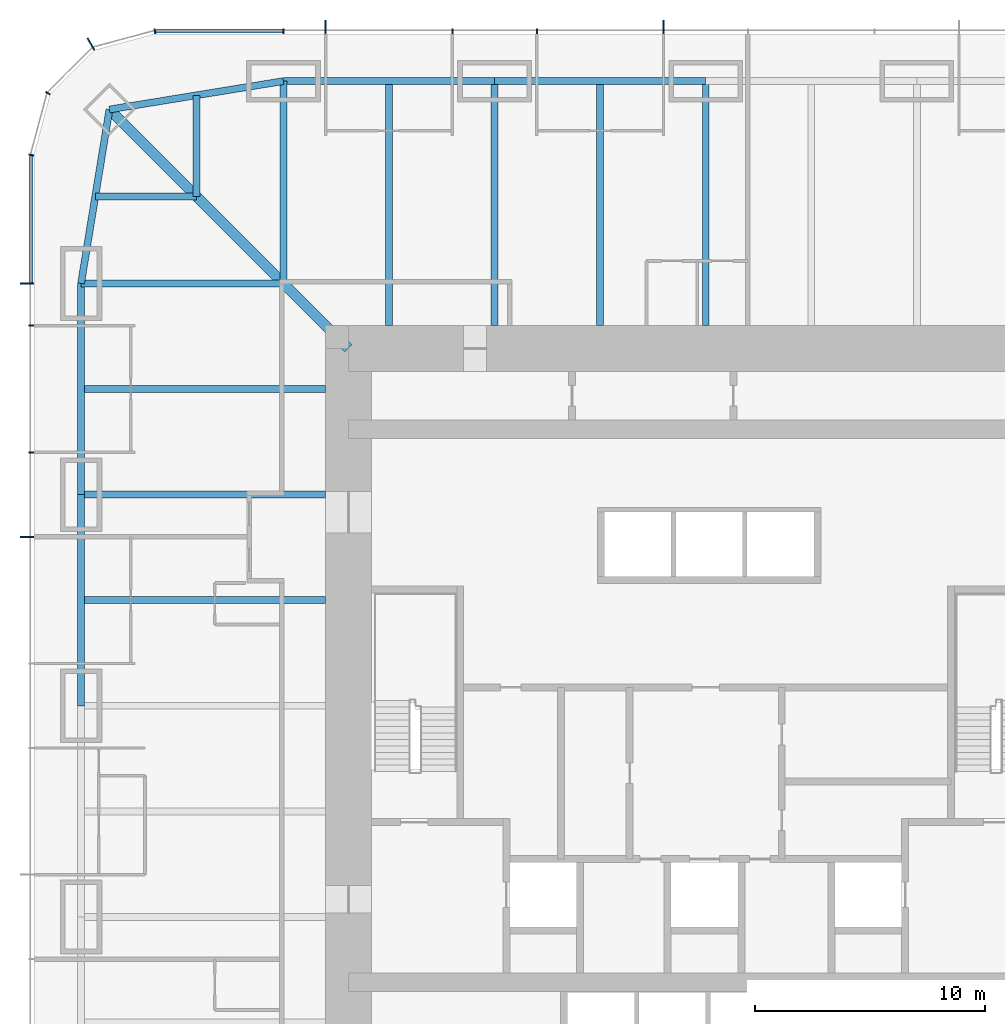
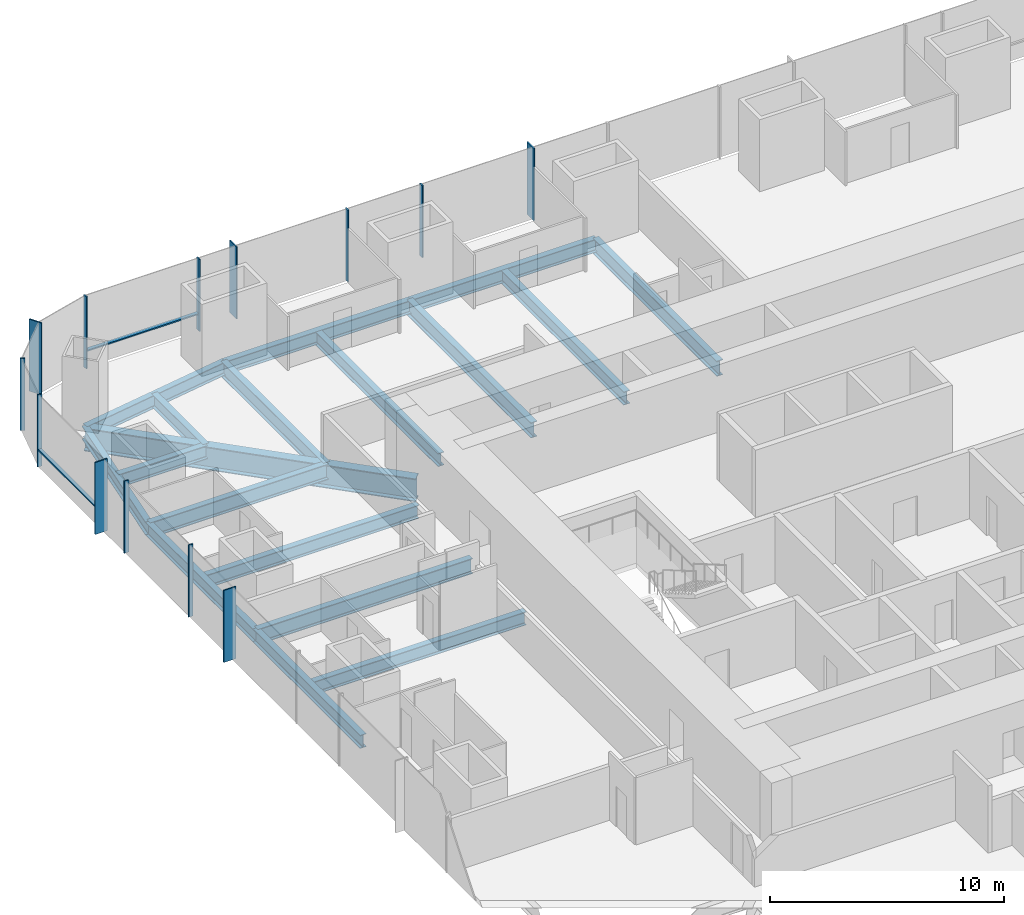
# One storey, part 5 of 13: 18 beams, 15 members, 3 elements without a shape of their own.
"""IFC4 building model written with IfcOpenShell, lengths in metres."""

import ifcopenshell
import ifcopenshell.guid

model = None  # the IFC model being written
_history = None  # IfcOwnerHistory: only IFC2X3 demands one
_inside = {}  # id of a spatial element -> (the spatial element, [elements in it])
_under = {}  # id of a project, library or spatial element -> (it, [spatial elements below it])
_declared = {}  # id of a project -> (the project, [libraries it declares])
_typed = {}  # id of a type object -> (the type object, [elements of that type])
_made_of = {}  # id of a material, layer set ... -> (it, [elements and type objects made of it])


def new_model(schema):
    """Start an empty IFC model of exactly this schema.

    Asked for "IFC4X3", IfcOpenShell would pick the latest addendum, in which some entities
    have other attributes; the version numbers below select the first issue.
    IFC2X3 requires an IfcOwnerHistory on every rooted entity: one is made here for all.
    """
    global model, _history
    if schema == "IFC4X3":
        model = ifcopenshell.file(schema_version=(4, 3, 0, 0))
    else:
        model = ifcopenshell.file(schema=schema)
    _inside.clear()
    _under.clear()
    _declared.clear()
    _typed.clear()
    _made_of.clear()
    _history = None
    if model.schema == "IFC2X3":
        org = make("IfcOrganization", Name="unknown")
        user = make(
            "IfcPersonAndOrganization",
            ThePerson=make("IfcPerson", FamilyName="unknown"),
            TheOrganization=org,
        )
        app = make(
            "IfcApplication",
            ApplicationDeveloper=org,
            Version="unknown",
            ApplicationFullName="unknown",
            ApplicationIdentifier="unknown",
        )
        _history = make(
            "IfcOwnerHistory",
            OwningUser=user,
            OwningApplication=app,
            ChangeAction="ADDED",
            CreationDate=0,
        )
    return model


def make(cls, **values):
    """One entity of the class cls with the attributes given. An attribute that is None is left unset."""
    return model.create_entity(
        cls, **{name: value for name, value in values.items() if value is not None}
    )


def rooted(cls, **values):
    """An entity with a GlobalId (a new one), such as an element, a storey or a relation."""
    return make(cls, GlobalId=ifcopenshell.guid.new(), OwnerHistory=_history, **values)


def si_unit(unit_type, name, prefix=None):
    """IfcSIUnit, for example si_unit("LENGTHUNIT", "METRE", prefix="MILLI")."""
    return make("IfcSIUnit", UnitType=unit_type, Prefix=prefix, Name=name)


def assignment(units):
    """IfcUnitAssignment: the units of a project."""
    return None if units is None else make("IfcUnitAssignment", Units=units)


def point(xyz):
    """IfcCartesianPoint."""
    return None if xyz is None else make("IfcCartesianPoint", Coordinates=xyz)


def direction(xyz):
    """IfcDirection."""
    return None if xyz is None else make("IfcDirection", DirectionRatios=xyz)


def frame(location, z_axis=None, x_axis=None):
    """IfcAxis2Placement3D, a coordinate frame: its origin and axes. An axis left out is left unset."""
    return make(
        "IfcAxis2Placement3D",
        Location=point(location),
        Axis=direction(z_axis),
        RefDirection=direction(x_axis),
    )


def frame_2d(location, x_axis=None):
    """IfcAxis2Placement2D, a coordinate frame in the plane: its origin and x axis."""
    return make(
        "IfcAxis2Placement2D", Location=point(location), RefDirection=direction(x_axis)
    )


def origin():
    """The frame at (0, 0, 0) with its axes left unset."""
    return frame((0.0, 0.0, 0.0))


def origin_2d():
    """The frame at (0, 0) in the plane with its x axis left unset."""
    return frame_2d((0.0, 0.0))


def place(relative_to, where):
    """IfcLocalPlacement: puts the frame where relative to a parent placement (None: the world)."""
    return make(
        "IfcLocalPlacement", PlacementRelTo=relative_to, RelativePlacement=where
    )


def context(
    kind, dimensions, precision=None, world=None, true_north=None, identifier=None
):
    """IfcGeometricRepresentationContext, for example the 3D "Model" context."""
    return make(
        "IfcGeometricRepresentationContext",
        ContextIdentifier=identifier,
        ContextType=kind,
        CoordinateSpaceDimension=dimensions,
        Precision=precision,
        WorldCoordinateSystem=world,
        TrueNorth=true_north,
    )


def subcontext(parent, identifier, kind, view, scale=None):
    """IfcGeometricRepresentationSubContext, for example "Body" below "Model"."""
    return make(
        "IfcGeometricRepresentationSubContext",
        ContextIdentifier=identifier,
        ContextType=kind,
        ParentContext=parent,
        TargetScale=scale,
        TargetView=view,
    )


def project(units=None, contexts=None):
    """IfcProject with its units and contexts."""
    return rooted(
        "IfcProject",
        Name="project",
        RepresentationContexts=contexts,
        UnitsInContext=assignment(units),
    )


def spatial(cls, under=None, at=None, **own):
    """A site, building, storey or space (cls), placed at a placement, below another one or the project."""
    s = rooted(cls, ObjectPlacement=at, **own)
    if under is not None:
        _under.setdefault(under.id(), (under, []))[1].append(s)
    return s


def profile(cls, at=None, kind="AREA", **sizes):
    """A parametric profile (cls). Its sizes go by their IFC names, for example OverallWidth=200.0."""
    return make(cls, ProfileType=kind, Position=at, **sizes)


def rectangle(**sizes):
    """IfcRectangleProfileDef."""
    return profile("IfcRectangleProfileDef", **sizes)


def i_section(**sizes):
    """IfcIShapeProfileDef."""
    return profile("IfcIShapeProfileDef", **sizes)


def extrude(swept, where, along, depth):
    """IfcExtrudedAreaSolid: the profile swept, set in the frame where, extruded along a direction by depth."""
    return make(
        "IfcExtrudedAreaSolid",
        SweptArea=swept,
        Position=where,
        ExtrudedDirection=direction(along),
        Depth=depth,
    )


def shape(context_of_items, identifier, shape_type, items):
    """IfcShapeRepresentation: the items that make up one representation, for example the "Body"."""
    return make(
        "IfcShapeRepresentation",
        ContextOfItems=context_of_items,
        RepresentationIdentifier=identifier,
        RepresentationType=shape_type,
        Items=items,
    )


def material(Name=None, Category=None):
    """IfcMaterial."""
    return make("IfcMaterial", Name=Name, Category=Category)


def material_profile(
    of_material, cross_section, Name=None, Category=None, Priority=None
):
    """IfcMaterialProfile: a cross section and its material."""
    return make(
        "IfcMaterialProfile",
        Name=Name,
        Material=of_material,
        Profile=cross_section,
        Priority=Priority,
        Category=Category,
    )


def profile_set(profiles, Name=None, composite=None):
    """IfcMaterialProfileSet."""
    return make(
        "IfcMaterialProfileSet",
        Name=Name,
        MaterialProfiles=profiles,
        CompositeProfile=composite,
    )


def made_of(thing, what):
    """Note that an element or type object is made of a material, layer set ...; save() writes the relation."""
    if what is not None:
        _made_of.setdefault(what.id(), (what, []))[1].append(thing)
    return thing


def type_object(cls, material=None, **own):
    """A type object (cls), such as IfcWallType, which elements share."""
    return made_of(rooted(cls, **own), material)


def element(
    cls,
    number,
    at=None,
    inside=None,
    cuts=None,
    type_object=None,
    material=None,
    context=None,
    identifier="Body",
    shape_type=None,
    held_by="IfcProductDefinitionShape",
    body=None,
    shapes=None,
    **own,
):
    """One element of the class cls, such as IfcWall. Its Tag is "e" and its number.

    at: its placement. inside: the storey or other place that contains it. cuts: it is an
    opening in that element (IfcRelVoidsElement). A single representation is given by context,
    identifier, shape_type and body (its items); several are given by shapes. held_by: the class
    of the entity that holds the representations. save() writes the other relations.
    """
    e = rooted(cls, Tag="e%d" % number, ObjectPlacement=at, **own)
    if body is not None:
        shapes = [shape(context, identifier, shape_type, body)]
    if shapes is not None:
        e.Representation = make(held_by, Representations=shapes)
    if inside is not None:
        _inside.setdefault(inside.id(), (inside, []))[1].append(e)
    if cuts is not None:
        rooted(
            "IfcRelVoidsElement", RelatingBuildingElement=cuts, RelatedOpeningElement=e
        )
    if type_object is not None:
        _typed.setdefault(type_object.id(), (type_object, []))[1].append(e)
    return made_of(e, material)


def aggregate(whole, parts):
    """IfcRelAggregates: a whole, such as a stair, and the parts it consists of."""
    return rooted("IfcRelAggregates", RelatingObject=whole, RelatedObjects=parts)


def save(model, path):
    """Write the relations noted so far, then the file.

    IfcRelAggregates (storeys below a building ...), IfcRelContainedInSpatialStructure (elements
    in a storey), IfcRelDefinesByType, IfcRelAssociatesMaterial and IfcRelDeclares: one each for
    every whole, place, type object, material and project.
    """
    for whole, parts in _under.values():
        aggregate(whole, parts)
    for where, things in _inside.values():
        rooted(
            "IfcRelContainedInSpatialStructure",
            RelatedElements=things,
            RelatingStructure=where,
        )
    for kind, things in _typed.values():
        rooted("IfcRelDefinesByType", RelatedObjects=things, RelatingType=kind)
    for what, things in _made_of.values():
        rooted("IfcRelAssociatesMaterial", RelatedObjects=things, RelatingMaterial=what)
    for by, libraries in _declared.values():
        rooted("IfcRelDeclares", RelatingContext=by, RelatedDefinitions=libraries)
    model.write(path)


model = new_model("IFC4")

# Units and contexts
model_context = context("Model", 3, precision=1e-05, world=origin(), true_north=direction((0.0, 1.0)))
body_context = subcontext(model_context, "Body", "Model", "MODEL_VIEW")
ifc_project = project(units=[si_unit("LENGTHUNIT", "METRE"), si_unit("AREAUNIT", "SQUARE_METRE"), si_unit("VOLUMEUNIT", "CUBIC_METRE"), si_unit("PLANEANGLEUNIT", "RADIAN"), si_unit("MASSUNIT", "GRAM", prefix="KILO")], contexts=[model_context])

# Site, building, storey
site_placement = place(None, origin())
site = spatial("IfcSite", under=ifc_project, at=site_placement, CompositionType="ELEMENT")
building_placement = place(site_placement, origin())
building = spatial("IfcBuilding", under=site, at=building_placement, Name="Khuree Lantern Residences", CompositionType="ELEMENT")
storey_placement = place(building_placement, frame((0.0, 0.0, 114.75)))
storey = spatial("IfcBuildingStorey", under=building, at=storey_placement, Name="L28", CompositionType="ELEMENT", Elevation=114.75)

# Beams
ifc_material_1 = material(Name="Steel S355", Category="steel")
ifc_material_profile_1 = material_profile(ifc_material_1, i_section(OverallWidth=0.300048828125, OverallDepth=0.68994140625, WebThickness=0.014404296875, FlangeThickness=0.027099609375, FilletRadius=0.027099609375, at=origin_2d()), Name="HE 700 A")
ifc_profile_set_1 = profile_set([ifc_material_profile_1], Name="Steel S355")
beam_type_1 = type_object("IfcBeamType", Name="B-21A SECONDARY BEAM HE 700 A", PredefinedType="BEAM", material=ifc_profile_set_1)
for number, where, z_axis, x_axis, name in (
    (1, (-13.739990234375, 27.10009765625, -0.594970703125), (0.0, -1.0, 0.0), (1.0, 0.0, 0.0), "Secondary beam N1"),
    (2, (-4.580078125, 27.10009765625, -0.594970703125), (0.0, -1.0, 0.0), (1.0, 0.0, 0.0), "Secondary beam N2"),
    (3, (-27.10009765625, 4.580078125, -0.594970703125), (1.0, 0.0, 0.0), (0.0, 1.0, 0.0), "Secondary beam W4"),
    (4, (-27.10009765625, 13.739990234375, -0.594970703125), (1.0, 0.0, 0.0), (0.0, 1.0, 0.0), "Secondary beam W5"),
):
    element("IfcBeam", number, at=place(storey_placement, frame(where, z_axis=z_axis, x_axis=x_axis)), inside=storey, type_object=beam_type_1, Name=name, PredefinedType="BEAM", context=body_context, shape_type="SweptSolid", body=[
        extrude(i_section(OverallWidth=0.300048828125, OverallDepth=0.68994140625, WebThickness=0.014404296875, FlangeThickness=0.027099609375, FilletRadius=0.027099609375, at=origin_2d()), origin(), (0.0, 0.0, 1.0), 10.60009765625),
    ])
for number, where, z_axis, x_axis, name in (
    (5, (-26.48486328125, 22.094970703125, -0.594970703125), (1.0, 0.0, 0.0), (0.0, 1.0, 0.0), "Secondary beam W6"),
    (6, (-22.094970703125, 26.48486328125, -0.594970703125), (0.0, -1.0, 0.0), (1.0, 0.0, 0.0), "Secondary beam N6"),
):
    element("IfcBeam", number, at=place(storey_placement, frame(where, z_axis=z_axis, x_axis=x_axis)), inside=storey, type_object=beam_type_1, Name=name, PredefinedType="BEAM", context=body_context, shape_type="SweptSolid", body=[
        extrude(i_section(OverallWidth=0.300048828125, OverallDepth=0.68994140625, WebThickness=0.014404296875, FlangeThickness=0.027099609375, FilletRadius=0.027099609375, at=origin_2d()), origin(), (0.0, 0.0, 1.0), 4.389892578125),
    ])
ifc_material_profile_2 = material_profile(ifc_material_1, i_section(OverallWidth=0.300048828125, OverallDepth=0.68994140625, WebThickness=0.014404296875, FlangeThickness=0.027099609375, FilletRadius=0.027099609375, at=origin_2d()), Name="HE 700 A")
ifc_profile_set_2 = profile_set([ifc_material_profile_2], Name="Steel S355")
beam_type_2 = type_object("IfcBeamType", Name="E-21 SPANDREL BEAM HE 700 A", PredefinedType="SPANDREL", material=ifc_profile_set_2)
beam_1_placement = place(storey_placement, frame((-18.320068359375, 27.10009765625, -0.594970703125), z_axis=(1.0, 0.0, 0.0), x_axis=(0.0, 1.0, 0.0)))
element("IfcBeam", 7, at=beam_1_placement, inside=storey, type_object=beam_type_2, Name="Spandrel beam N1", PredefinedType="SPANDREL", context=body_context, shape_type="SweptSolid", body=[
    extrude(i_section(OverallWidth=0.300048828125, OverallDepth=0.68994140625, WebThickness=0.014404296875, FlangeThickness=0.027099609375, FilletRadius=0.027099609375, at=origin_2d()), origin(), (0.0, 0.0, 1.0), 9.16015625),
])
for number, where, z_axis, x_axis, name in (
    (8, (-9.159912109375, 27.10009765625, -0.594970703125), (1.0, 0.0, 0.0), (0.0, 1.0, 0.0), "Spandrel beam N2"),
    (9, (-27.10009765625, 0.0, -0.594970703125), (0.0, 1.0, 0.0), (-1.0, 0.0, 0.0), "Spandrel beam W4"),
):
    element("IfcBeam", number, at=place(storey_placement, frame(where, z_axis=z_axis, x_axis=x_axis)), inside=storey, type_object=beam_type_2, Name=name, PredefinedType="SPANDREL", context=body_context, shape_type="SweptSolid", body=[
        extrude(i_section(OverallWidth=0.300048828125, OverallDepth=0.68994140625, WebThickness=0.014404296875, FlangeThickness=0.027099609375, FilletRadius=0.027099609375, at=origin_2d()), origin(), (0.0, 0.0, 1.0), 9.159912109375),
    ])
beam_2_placement = place(storey_placement, frame((-27.10009765625, 9.159912109375, -0.594970703125), z_axis=(0.0, 1.0, 0.0), x_axis=(-1.0, 0.0, 0.0)))
element("IfcBeam", 10, at=beam_2_placement, inside=storey, type_object=beam_type_2, Name="Spandrel beam W5", PredefinedType="SPANDREL", context=body_context, shape_type="SweptSolid", body=[
    extrude(i_section(OverallWidth=0.300048828125, OverallDepth=0.68994140625, WebThickness=0.014404296875, FlangeThickness=0.027099609375, FilletRadius=0.027099609375, at=origin_2d()), origin(), (0.0, 0.0, 1.0), 9.16015625),
])
for number, where, z_axis, x_axis, name in (
    (11, (-27.10009765625, 18.320068359375, -0.594970703125), (0.160826723833, 0.986982656839, 0.0), (-0.986982656839, 0.160826723833, 0.0), "Spandrel beam W6"),
    (12, (-25.869873046875, 25.869873046875, -0.594970703125), (0.986982656839, 0.160826723833, 0.0), (-0.160826723833, 0.986982656839, 0.0), "Spandrel beam N6"),
):
    element("IfcBeam", number, at=place(storey_placement, frame(where, z_axis=z_axis, x_axis=x_axis)), inside=storey, type_object=beam_type_2, Name=name, PredefinedType="SPANDREL", context=body_context, shape_type="SweptSolid", body=[
        extrude(i_section(OverallWidth=0.300048828125, OverallDepth=0.68994140625, WebThickness=0.014404296875, FlangeThickness=0.027099609375, FilletRadius=0.027099609375, at=origin_2d()), origin(), (0.0, 0.0, 1.0), 7.6494140625),
    ])

# Curtain wall, members
ifc_material_2 = material(Name="Bronze anodised aluminium", Category="aluminium")
curtain_wall_type_1 = type_object("IfcCurtainWallType", Name="CW-T1 TOWER FACE CURTAIN WALL", PredefinedType="USERDEFINED", material=ifc_material_2)
curtain_wall_1_placement = place(storey_placement, origin())
curtain_wall_1 = element("IfcCurtainWall", 13, at=curtain_wall_1_placement, inside=storey, type_object=curtain_wall_type_1, Name="L28 NORTH FACE CURTAIN WALL", ObjectType="Stick-built curtain wall", PredefinedType="USERDEFINED")
ifc_material_profile_3 = material_profile(ifc_material_2, rectangle(XDim=0.06494140625, YDim=0.60009765625, at=origin_2d()), Name="F1 65X600")
ifc_profile_set_3 = profile_set([ifc_material_profile_3], Name="Bronze anodised aluminium")
member_type_1 = type_object("IfcMemberType", Name="F1 BRONZE FIN MULLION TOWER 65X600", PredefinedType="MULLION", material=ifc_profile_set_3)
member_1_placement = place(storey_placement, frame((-1.83203125, 29.449951171875, 0.0), z_axis=(0.0, 0.0, 1.0), x_axis=(-1.0, 0.0, 0.0)))
member_1 = element("IfcMember", 14, at=member_1_placement, type_object=member_type_1, Name="L28 NORTH FACE FIN MULLION 24", PredefinedType="MULLION", context=body_context, shape_type="SweptSolid", body=[
    extrude(rectangle(XDim=0.06494140625, YDim=0.60009765625, at=origin_2d()), origin(), (0.0, 0.0, 1.0), 3.75),
])
member_2_placement = place(storey_placement, frame((-16.488037109375, 29.449951171875, 0.0), z_axis=(0.0, 0.0, 1.0), x_axis=(-1.0, 0.0, 0.0)))
member_2 = element("IfcMember", 15, at=member_2_placement, type_object=member_type_1, Name="L28 NORTH FACE FIN MULLION 27", PredefinedType="MULLION", context=body_context, shape_type="SweptSolid", body=[
    extrude(rectangle(XDim=0.06494140625, YDim=0.60009765625, at=origin_2d()), origin(), (0.0, 0.0, 1.0), 3.75),
])

# Curtain wall, member
curtain_wall_type_2 = type_object("IfcCurtainWallType", Name="CW-T2 TOWER CORNER CURTAIN WALL", PredefinedType="USERDEFINED", material=ifc_material_2)
curtain_wall_2_placement = place(storey_placement, origin())
curtain_wall_2 = element("IfcCurtainWall", 16, at=curtain_wall_2_placement, inside=storey, type_object=curtain_wall_type_2, Name="L28 NORTH-WEST CORNER CURTAIN WALL", ObjectType="Faceted corner curtain wall", PredefinedType="USERDEFINED")
member_3_placement = place(storey_placement, frame((-26.675048828125, 28.70654296875, 0.0), z_axis=(0.0, 0.0, 1.0), x_axis=(-0.866025388199, -0.500000026995, 0.0)))
member_3 = element("IfcMember", 17, at=member_3_placement, type_object=member_type_1, Name="L28 NORTH-WEST CORNER FIN MULLION 30", PredefinedType="MULLION", context=body_context, shape_type="SweptSolid", body=[
    extrude(rectangle(XDim=0.06494140625, YDim=0.60009765625, at=origin_2d()), origin(), (0.0, 0.0, 1.0), 3.75),
])

# Curtain wall, members
curtain_wall_3_placement = place(storey_placement, origin())
curtain_wall_3 = element("IfcCurtainWall", 18, at=curtain_wall_3_placement, inside=storey, type_object=curtain_wall_type_1, Name="L28 WEST FACE CURTAIN WALL", ObjectType="Stick-built curtain wall", PredefinedType="USERDEFINED")
member_4_placement = place(storey_placement, frame((-29.449951171875, 18.320068359375, 0.0), z_axis=(0.0, 0.0, 1.0), x_axis=(0.0, -1.0, 0.0)))
member_4 = element("IfcMember", 19, at=member_4_placement, type_object=member_type_1, Name="L28 WEST FACE FIN MULLION 33", PredefinedType="MULLION", context=body_context, shape_type="SweptSolid", body=[
    extrude(rectangle(XDim=0.06494140625, YDim=0.60009765625, at=origin_2d()), origin(), (0.0, 0.0, 1.0), 3.75),
])
member_5_placement = place(storey_placement, frame((-29.449951171875, 7.327880859375, 0.0), z_axis=(0.0, 0.0, 1.0), x_axis=(0.0, -1.0, 0.0)))
member_5 = element("IfcMember", 20, at=member_5_placement, type_object=member_type_1, Name="L28 WEST FACE FIN MULLION 36", PredefinedType="MULLION", context=body_context, shape_type="SweptSolid", body=[
    extrude(rectangle(XDim=0.06494140625, YDim=0.60009765625, at=origin_2d()), origin(), (0.0, 0.0, 1.0), 3.75),
])

# Beams
ifc_material_profile_4 = material_profile(ifc_material_1, i_section(OverallWidth=0.300048828125, OverallDepth=0.800048828125, WebThickness=0.017578125, FlangeThickness=0.032958984375, FilletRadius=0.030029296875, at=origin_2d()), Name="HE 800 B")
ifc_profile_set_4 = profile_set([ifc_material_profile_4], Name="Steel S355")
beam_type_3 = type_object("IfcBeamType", Name="G-21 GIRDER HE 800 B", PredefinedType="BEAM", material=ifc_profile_set_4)
beam_3_placement = place(storey_placement, frame((-18.320068359375, 27.10009765625, -0.64990234375), z_axis=(0.0, -1.0, 0.0), x_axis=(1.0, 0.0, 0.0)))
element("IfcBeam", 21, at=beam_3_placement, inside=storey, type_object=beam_type_3, Name="Girder N1", PredefinedType="BEAM", context=body_context, shape_type="SweptSolid", body=[
    extrude(i_section(OverallWidth=0.300048828125, OverallDepth=0.800048828125, WebThickness=0.017578125, FlangeThickness=0.032958984375, FilletRadius=0.030029296875, at=origin_2d()), origin(), (0.0, 0.0, 1.0), 8.780029296875),
])
for number, where, z_axis, x_axis, name in (
    (22, (-9.159912109375, 27.10009765625, -0.64990234375), (0.0, -1.0, 0.0), (1.0, 0.0, 0.0), "Girder N2"),
    (23, (0.0, 27.10009765625, -0.64990234375), (0.0, -1.0, 0.0), (1.0, 0.0, 0.0), "Girder N3"),
    (24, (-27.10009765625, 9.159912109375, -0.64990234375), (1.0, 0.0, 0.0), (0.0, 1.0, 0.0), "Girder W4"),
):
    element("IfcBeam", number, at=place(storey_placement, frame(where, z_axis=z_axis, x_axis=x_axis)), inside=storey, type_object=beam_type_3, Name=name, PredefinedType="BEAM", context=body_context, shape_type="SweptSolid", body=[
        extrude(i_section(OverallWidth=0.300048828125, OverallDepth=0.800048828125, WebThickness=0.017578125, FlangeThickness=0.032958984375, FilletRadius=0.030029296875, at=origin_2d()), origin(), (0.0, 0.0, 1.0), 10.60009765625),
    ])
beam_4_placement = place(storey_placement, frame((-27.10009765625, 18.320068359375, -0.64990234375), z_axis=(1.0, 0.0, 0.0), x_axis=(0.0, 1.0, 0.0)))
element("IfcBeam", 25, at=beam_4_placement, inside=storey, type_object=beam_type_3, Name="Girder W5", PredefinedType="BEAM", context=body_context, shape_type="SweptSolid", body=[
    extrude(i_section(OverallWidth=0.300048828125, OverallDepth=0.800048828125, WebThickness=0.017578125, FlangeThickness=0.032958984375, FilletRadius=0.030029296875, at=origin_2d()), origin(), (0.0, 0.0, 1.0), 8.780029296875),
])
ifc_material_profile_5 = material_profile(ifc_material_1, i_section(OverallWidth=0.449951171875, OverallDepth=1.199951171875, WebThickness=0.02490234375, FlangeThickness=0.044921875, at=origin_2d()), Name="WELDED I 1200X450X25X45")
ifc_profile_set_5 = profile_set([ifc_material_profile_5], Name="Steel S355")
beam_type_4 = type_object("IfcBeamType", Name="GD-21 CORNER GIRDER WELDED I 1200X450X25X45", PredefinedType="BEAM", material=ifc_profile_set_5)
beam_5_placement = place(storey_placement, frame((-25.869873046875, 25.869873046875, -0.85009765625), z_axis=(0.707106781187, -0.707106781187, 0.0), x_axis=(0.707106781187, 0.707106781187, 0.0)))
element("IfcBeam", 26, at=beam_5_placement, inside=storey, type_object=beam_type_4, Name="Corner girder NW", PredefinedType="BEAM", context=body_context, shape_type="SweptSolid", body=[
    extrude(i_section(OverallWidth=0.449951171875, OverallDepth=1.199951171875, WebThickness=0.02490234375, FlangeThickness=0.044921875, at=origin_2d()), origin(), (0.0, 0.0, 1.0), 14.665283203125),
])

# Member
ifc_material_profile_6 = material_profile(ifc_material_2, rectangle(XDim=0.06494140625, YDim=0.219970703125, at=origin_2d()), Name="M1 65X220")
ifc_profile_set_6 = profile_set([ifc_material_profile_6], Name="Bronze anodised aluminium")
member_type_2 = type_object("IfcMemberType", Name="M1 BRONZE MULLION TOWER 65X220", PredefinedType="MULLION", material=ifc_profile_set_6)
member_6_placement = place(storey_placement, frame((-7.327880859375, 29.260009765625, 0.0), z_axis=(0.0, 0.0, 1.0), x_axis=(-1.0, 0.0, 0.0)))
member_6 = element("IfcMember", 27, at=member_6_placement, type_object=member_type_2, Name="L28 NORTH FACE MULLION 25", PredefinedType="MULLION", context=body_context, shape_type="SweptSolid", body=[
    extrude(rectangle(XDim=0.06494140625, YDim=0.219970703125, at=origin_2d()), origin(), (0.0, 0.0, 1.0), 3.75),
])

member_7_placement = place(storey_placement, frame((-10.991943359375, 29.260009765625, 0.0), z_axis=(0.0, 0.0, 1.0), x_axis=(-1.0, 0.0, 0.0)))
member_7 = element("IfcMember", 28, at=member_7_placement, type_object=member_type_2, Name="L28 NORTH FACE MULLION 26", PredefinedType="MULLION", context=body_context, shape_type="SweptSolid", body=[
    extrude(rectangle(XDim=0.06494140625, YDim=0.219970703125, at=origin_2d()), origin(), (0.0, 0.0, 1.0), 3.75),
])

member_8_placement = place(storey_placement, frame((-18.320068359375, 29.260009765625, 0.0), z_axis=(0.0, 0.0, 1.0), x_axis=(-1.0, 0.0, 0.0)))
member_8 = element("IfcMember", 29, at=member_8_placement, type_object=member_type_2, Name="L28 NORTH FACE MULLION 28", PredefinedType="MULLION", context=body_context, shape_type="SweptSolid", body=[
    extrude(rectangle(XDim=0.06494140625, YDim=0.219970703125, at=origin_2d()), origin(), (0.0, 0.0, 1.0), 3.75),
])

member_9_placement = place(storey_placement, frame((-23.89501953125, 29.26171875, 0.0), z_axis=(0.0, 0.0, 1.0), x_axis=(-0.991444857305, -0.130526223125, 0.0)))
member_9 = element("IfcMember", 30, at=member_9_placement, type_object=member_type_2, Name="L28 NORTH-WEST CORNER MULLION 29", PredefinedType="MULLION", context=body_context, shape_type="SweptSolid", body=[
    extrude(rectangle(XDim=0.06494140625, YDim=0.219970703125, at=origin_2d()), origin(), (0.0, 0.0, 1.0), 3.75),
])

member_10_placement = place(storey_placement, frame((-28.5419921875, 26.580078125, 0.0), z_axis=(0.0, 0.0, 1.0), x_axis=(-0.500000026995, -0.866025388199, 0.0)))
member_10 = element("IfcMember", 31, at=member_10_placement, type_object=member_type_2, Name="L28 NORTH-WEST CORNER MULLION 31", PredefinedType="MULLION", context=body_context, shape_type="SweptSolid", body=[
    extrude(rectangle(XDim=0.06494140625, YDim=0.219970703125, at=origin_2d()), origin(), (0.0, 0.0, 1.0), 3.75),
])

aggregate(curtain_wall_2, [member_9, member_3, member_10])

member_11_placement = place(storey_placement, frame((-29.26171875, 23.89501953125, 0.0), z_axis=(0.0, 0.0, 1.0), x_axis=(-0.130526223125, -0.991444857305, 0.0)))
member_11 = element("IfcMember", 32, at=member_11_placement, type_object=member_type_2, Name="L28 WEST FACE MULLION 32", PredefinedType="MULLION", context=body_context, shape_type="SweptSolid", body=[
    extrude(rectangle(XDim=0.06494140625, YDim=0.219970703125, at=origin_2d()), origin(), (0.0, 0.0, 1.0), 3.75),
])

member_12_placement = place(storey_placement, frame((-29.260009765625, 16.488037109375, 0.0), z_axis=(0.0, 0.0, 1.0), x_axis=(0.0, -1.0, 0.0)))
member_12 = element("IfcMember", 33, at=member_12_placement, type_object=member_type_2, Name="L28 WEST FACE MULLION 34", PredefinedType="MULLION", context=body_context, shape_type="SweptSolid", body=[
    extrude(rectangle(XDim=0.06494140625, YDim=0.219970703125, at=origin_2d()), origin(), (0.0, 0.0, 1.0), 3.75),
])

member_13_placement = place(storey_placement, frame((-29.260009765625, 10.991943359375, 0.0), z_axis=(0.0, 0.0, 1.0), x_axis=(0.0, -1.0, 0.0)))
member_13 = element("IfcMember", 34, at=member_13_placement, type_object=member_type_2, Name="L28 WEST FACE MULLION 35", PredefinedType="MULLION", context=body_context, shape_type="SweptSolid", body=[
    extrude(rectangle(XDim=0.06494140625, YDim=0.219970703125, at=origin_2d()), origin(), (0.0, 0.0, 1.0), 3.75),
])

ifc_material_profile_7 = material_profile(ifc_material_2, rectangle(XDim=0.179931640625, YDim=0.06494140625, at=origin_2d()), Name="T1 180X65")
ifc_profile_set_7 = profile_set([ifc_material_profile_7], Name="Bronze anodised aluminium")
member_type_3 = type_object("IfcMemberType", Name="TRANSOM T1 TOWER 180X65", PredefinedType="USERDEFINED", material=ifc_profile_set_7)
member_14_placement = place(storey_placement, frame((-18.3525390625, 29.27001953125, 0.89990234375), z_axis=(-1.0, 0.0, 0.0), x_axis=(0.0, -1.0, 0.0)))
member_14 = element("IfcMember", 35, at=member_14_placement, type_object=member_type_3, Name="L28 NORTH FACE TRANSOM 28.1", ObjectType="Transom", PredefinedType="USERDEFINED", context=body_context, shape_type="SweptSolid", body=[
    extrude(rectangle(XDim=0.179931640625, YDim=0.06494140625, at=origin_2d()), origin(), (0.0, 0.0, 1.0), 5.498779296875),
])

aggregate(curtain_wall_1, [member_1, member_6, member_7, member_2, member_8, member_14])

member_15_placement = place(storey_placement, frame((-29.27001953125, 23.851318359375, 0.89990234375), z_axis=(0.0, -1.0, 0.0), x_axis=(1.0, 0.0, 0.0)))
member_15 = element("IfcMember", 36, at=member_15_placement, type_object=member_type_3, Name="L28 WEST FACE TRANSOM 32.1", ObjectType="Transom", PredefinedType="USERDEFINED", context=body_context, shape_type="SweptSolid", body=[
    extrude(rectangle(XDim=0.179931640625, YDim=0.06494140625, at=origin_2d()), origin(), (0.0, 0.0, 1.0), 5.498779296875),
])

aggregate(curtain_wall_3, [member_11, member_4, member_12, member_13, member_5, member_15])

save(model, "model.ifc")
